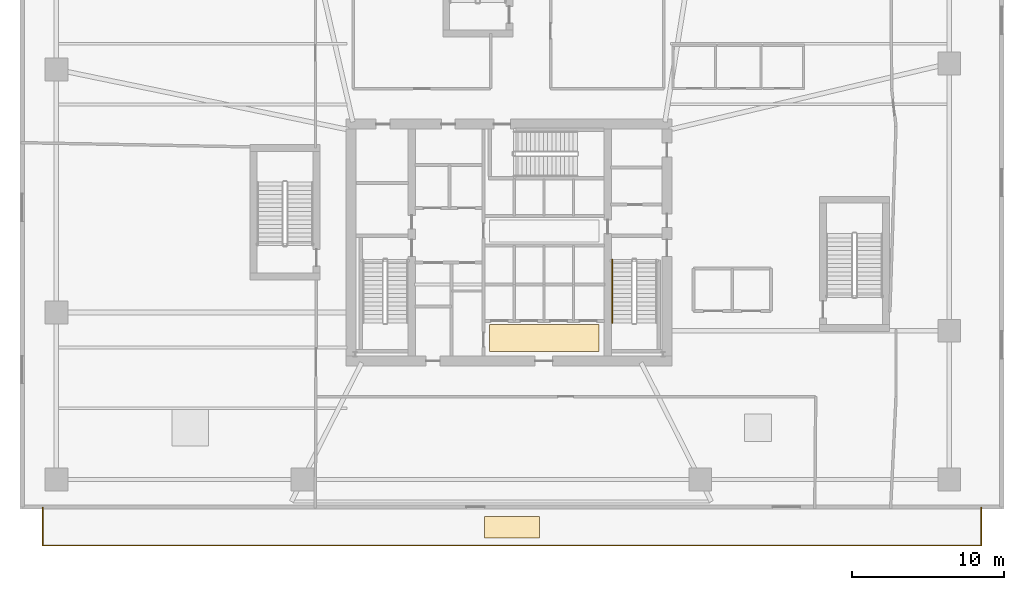
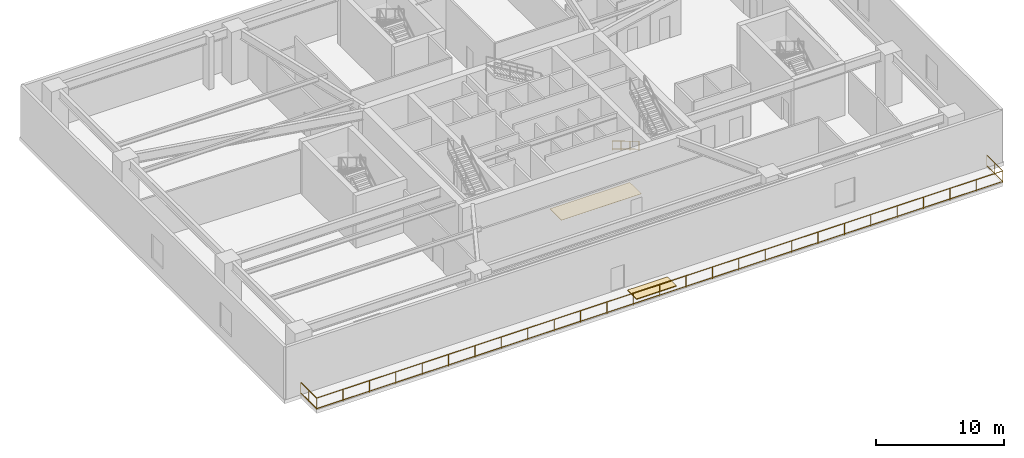
# One storey, part 9 of 11: 2 coverings, 2 railings.
"""IFC4 building model written with IfcOpenShell, lengths in metres."""

from ifc_helpers import new_model, si_unit, direction, frame, origin, origin_2d, place, context, subcontext, project, spatial, rectangle, extrude, material, layer, layer_set, type_object, element, save


model = new_model("IFC4")

# Units and contexts
model_context = context("Model", 3, precision=1e-05, world=origin(), true_north=direction((0.0, 1.0)))
body_context = subcontext(model_context, "Body", "Model", "MODEL_VIEW")
ifc_project = project(units=[si_unit("LENGTHUNIT", "METRE"), si_unit("AREAUNIT", "SQUARE_METRE"), si_unit("VOLUMEUNIT", "CUBIC_METRE"), si_unit("PLANEANGLEUNIT", "RADIAN"), si_unit("MASSUNIT", "GRAM", prefix="KILO")], contexts=[model_context])

# Site, building, storey
site_placement = place(None, origin())
site = spatial("IfcSite", under=ifc_project, at=site_placement, CompositionType="ELEMENT")
building_placement = place(site_placement, origin())
building = spatial("IfcBuilding", under=site, at=building_placement, Name="Qarnah Convention Tower", CompositionType="ELEMENT")
storey_placement = place(building_placement, frame((0.0, 0.0, 16.199951171875)))
storey = spatial("IfcBuildingStorey", under=building, at=storey_placement, Name="L03", CompositionType="ELEMENT", Elevation=16.199951171875)

# Coverings
ifc_material_1 = material(Name="Porcelain stone floor tile", Category="masonry")
ifc_layer_1 = layer(ifc_material_1, 0.02001953125)
ifc_layer_set_1 = layer_set([ifc_layer_1], Name="Porcelain stone floor tile")
covering_type_1 = type_object("IfcCoveringType", Name="COV-FLOOR-20", PredefinedType="FLOORING", material=ifc_layer_set_1)
covering_1_placement = place(storey_placement, frame((39.52001953125, 20.1201171875, 0.0), z_axis=(0.0, 0.0, 1.0), x_axis=(1.0, 0.0, 0.0)))
element("IfcCovering", 1, at=covering_1_placement, inside=storey, type_object=covering_type_1, Name="L03 lift lobby porcelain stone flooring", PredefinedType="FLOORING", context=body_context, shape_type="SweptSolid", body=[
    extrude(rectangle(XDim=7.199951171875, YDim=1.800048828125, at=origin_2d()), origin(), (0.0, 0.0, 1.0), 0.02001953125),
])
ifc_material_2 = material(Name="Bituminous roof membrane", Category="concrete")
ifc_layer_2 = layer(ifc_material_2, 0.080078125)
ifc_layer_set_2 = layer_set([ifc_layer_2], Name="Bituminous roof membrane")
covering_type_2 = type_object("IfcCoveringType", Name="COV-ROOF-80", PredefinedType="ROOFING", material=ifc_layer_set_2)
covering_2_placement = place(storey_placement, frame((37.39990234375, 7.652099609375, 0.0), z_axis=(0.0, 0.0, 1.0), x_axis=(1.0, 0.0, 0.0)))
element("IfcCovering", 2, at=covering_2_placement, inside=storey, type_object=covering_type_2, Name="L03 podium terrace roof membrane panel 1", PredefinedType="ROOFING", context=body_context, shape_type="SweptSolid", body=[
    extrude(rectangle(XDim=3.60009765625, YDim=1.39990234375, at=origin_2d()), origin(), (0.0, 0.0, 1.0), 0.080078125),
])

# Railings
ifc_material_3 = material(Name="Black anodised aluminium", Category="aluminium")
railing_type_1 = type_object("IfcRailingType", Name="RL-EXT-GUARD-1150", PredefinedType="GUARDRAIL", material=ifc_material_3)
railing_1_placement = place(storey_placement, frame((6.5, 8.949951171875, 0.0)))
element("IfcRailing", 3, at=railing_1_placement, inside=storey, type_object=railing_type_1, Name="L03 balcony safety guard TERR-L03-S", PredefinedType="GUARDRAIL", context=body_context, shape_type="SweptSolid", body=[
    extrude(rectangle(XDim=0.048095703125, YDim=0.048095703125, at=origin_2d()), frame((0.0, 0.0, 1.1259765625), z_axis=(0.0, -1.0, 0.0), x_axis=(1.0, 0.0, 0.0)), (0.0, 0.0, 1.0), 2.5),
    extrude(rectangle(XDim=0.048095703125, YDim=0.048095703125, at=origin_2d()), frame((0.0, 0.0, 0.1201171875), z_axis=(0.0, -1.0, 0.0), x_axis=(1.0, 0.0, 0.0)), (0.0, 0.0, 1.0), 2.5),
    extrude(rectangle(XDim=0.048095703125, YDim=0.048095703125, at=origin_2d()), frame((0.0, -2.5, 1.1259765625), z_axis=(1.0, 0.0, 0.0), x_axis=(0.0, 1.0, 0.0)), (0.0, 0.0, 1.0), 61.800048828125),
    extrude(rectangle(XDim=0.048095703125, YDim=0.048095703125, at=origin_2d()), frame((0.0, -2.5, 0.1201171875), z_axis=(1.0, 0.0, 0.0), x_axis=(0.0, 1.0, 0.0)), (0.0, 0.0, 1.0), 61.800048828125),
    extrude(rectangle(XDim=0.048095703125, YDim=0.048095703125, at=origin_2d()), frame((61.800048828125, -2.5, 1.1259765625), z_axis=(0.0, 1.0, 0.0), x_axis=(-1.0, 0.0, 0.0)), (0.0, 0.0, 1.0), 2.5),
    extrude(rectangle(XDim=0.048095703125, YDim=0.048095703125, at=origin_2d()), frame((61.800048828125, -2.5, 0.1201171875), z_axis=(0.0, 1.0, 0.0), x_axis=(-1.0, 0.0, 0.0)), (0.0, 0.0, 1.0), 2.5),
    extrude(rectangle(XDim=0.0419921875, YDim=0.0419921875, at=origin_2d()), origin(), (0.0, 0.0, 1.0), 1.101806640625),
    extrude(rectangle(XDim=0.0419921875, YDim=0.0419921875, at=origin_2d()), frame((0.0, -1.25, 0.0)), (0.0, 0.0, 1.0), 1.101806640625),
    extrude(rectangle(XDim=0.0419921875, YDim=0.0419921875, at=origin_2d()), frame((0.0, -2.5, 0.0)), (0.0, 0.0, 1.0), 1.101806640625),
    extrude(rectangle(XDim=0.0419921875, YDim=0.0419921875, at=origin_2d()), frame((2.376953125, -2.5, 0.0)), (0.0, 0.0, 1.0), 1.101806640625),
    extrude(rectangle(XDim=0.0419921875, YDim=0.0419921875, at=origin_2d()), frame((4.75390625, -2.5, 0.0)), (0.0, 0.0, 1.0), 1.101806640625),
    extrude(rectangle(XDim=0.0419921875, YDim=0.0419921875, at=origin_2d()), frame((7.130859375, -2.5, 0.0)), (0.0, 0.0, 1.0), 1.101806640625),
    extrude(rectangle(XDim=0.0419921875, YDim=0.0419921875, at=origin_2d()), frame((9.5078125, -2.5, 0.0)), (0.0, 0.0, 1.0), 1.101806640625),
    extrude(rectangle(XDim=0.0419921875, YDim=0.0419921875, at=origin_2d()), frame((11.884521484375, -2.5, 0.0)), (0.0, 0.0, 1.0), 1.101806640625),
    extrude(rectangle(XDim=0.0419921875, YDim=0.0419921875, at=origin_2d()), frame((14.261474609375, -2.5, 0.0)), (0.0, 0.0, 1.0), 1.101806640625),
    extrude(rectangle(XDim=0.0419921875, YDim=0.0419921875, at=origin_2d()), frame((16.638427734375, -2.5, 0.0)), (0.0, 0.0, 1.0), 1.101806640625),
    extrude(rectangle(XDim=0.0419921875, YDim=0.0419921875, at=origin_2d()), frame((19.015380859375, -2.5, 0.0)), (0.0, 0.0, 1.0), 1.101806640625),
    extrude(rectangle(XDim=0.0419921875, YDim=0.0419921875, at=origin_2d()), frame((21.392333984375, -2.5, 0.0)), (0.0, 0.0, 1.0), 1.101806640625),
    extrude(rectangle(XDim=0.0419921875, YDim=0.0419921875, at=origin_2d()), frame((23.769287109375, -2.5, 0.0)), (0.0, 0.0, 1.0), 1.101806640625),
    extrude(rectangle(XDim=0.0419921875, YDim=0.0419921875, at=origin_2d()), frame((26.146240234375, -2.5, 0.0)), (0.0, 0.0, 1.0), 1.101806640625),
    extrude(rectangle(XDim=0.0419921875, YDim=0.0419921875, at=origin_2d()), frame((28.523193359375, -2.5, 0.0)), (0.0, 0.0, 1.0), 1.101806640625),
    extrude(rectangle(XDim=0.0419921875, YDim=0.0419921875, at=origin_2d()), frame((30.89990234375, -2.5, 0.0)), (0.0, 0.0, 1.0), 1.101806640625),
    extrude(rectangle(XDim=0.0419921875, YDim=0.0419921875, at=origin_2d()), frame((33.27685546875, -2.5, 0.0)), (0.0, 0.0, 1.0), 1.101806640625),
    extrude(rectangle(XDim=0.0419921875, YDim=0.0419921875, at=origin_2d()), frame((35.65380859375, -2.5, 0.0)), (0.0, 0.0, 1.0), 1.101806640625),
    extrude(rectangle(XDim=0.0419921875, YDim=0.0419921875, at=origin_2d()), frame((38.03076171875, -2.5, 0.0)), (0.0, 0.0, 1.0), 1.101806640625),
    extrude(rectangle(XDim=0.0419921875, YDim=0.0419921875, at=origin_2d()), frame((40.40771484375, -2.5, 0.0)), (0.0, 0.0, 1.0), 1.101806640625),
    extrude(rectangle(XDim=0.0419921875, YDim=0.0419921875, at=origin_2d()), frame((42.78466796875, -2.5, 0.0)), (0.0, 0.0, 1.0), 1.101806640625),
    extrude(rectangle(XDim=0.0419921875, YDim=0.0419921875, at=origin_2d()), frame((45.16162109375, -2.5, 0.0)), (0.0, 0.0, 1.0), 1.101806640625),
    extrude(rectangle(XDim=0.0419921875, YDim=0.0419921875, at=origin_2d()), frame((47.53857421875, -2.5, 0.0)), (0.0, 0.0, 1.0), 1.101806640625),
    extrude(rectangle(XDim=0.0419921875, YDim=0.0419921875, at=origin_2d()), frame((49.91552734375, -2.5, 0.0)), (0.0, 0.0, 1.0), 1.101806640625),
    extrude(rectangle(XDim=0.0419921875, YDim=0.0419921875, at=origin_2d()), frame((52.292236328125, -2.5, 0.0)), (0.0, 0.0, 1.0), 1.101806640625),
    extrude(rectangle(XDim=0.0419921875, YDim=0.0419921875, at=origin_2d()), frame((54.669189453125, -2.5, 0.0)), (0.0, 0.0, 1.0), 1.101806640625),
    extrude(rectangle(XDim=0.0419921875, YDim=0.0419921875, at=origin_2d()), frame((57.046142578125, -2.5, 0.0)), (0.0, 0.0, 1.0), 1.101806640625),
    extrude(rectangle(XDim=0.0419921875, YDim=0.0419921875, at=origin_2d()), frame((59.423095703125, -2.5, 0.0)), (0.0, 0.0, 1.0), 1.101806640625),
    extrude(rectangle(XDim=0.0419921875, YDim=0.0419921875, at=origin_2d()), frame((61.800048828125, -2.5, 0.0)), (0.0, 0.0, 1.0), 1.101806640625),
    extrude(rectangle(XDim=0.0419921875, YDim=0.0419921875, at=origin_2d()), frame((61.800048828125, -1.25, 0.0)), (0.0, 0.0, 1.0), 1.101806640625),
    extrude(rectangle(XDim=0.0419921875, YDim=0.0419921875, at=origin_2d()), frame((61.800048828125, 0.0, 0.0)), (0.0, 0.0, 1.0), 1.101806640625),
])
ifc_material_4 = material(Name="Structural steel S355JR", Category="steel")
railing_type_2 = type_object("IfcRailingType", Name="RL-STAIR-HAND-900", PredefinedType="HANDRAIL", material=ifc_material_4)
railing_2_placement = place(storey_placement, frame((44.0, 25.300048828125, 0.168701171875)))
element("IfcRailing", 4, at=railing_2_placement, inside=storey, type_object=railing_type_2, Name="L03 ST-2 stair handrail 1", PredefinedType="HANDRAIL", context=body_context, shape_type="SweptSolid", body=[
    extrude(rectangle(XDim=0.048095703125, YDim=0.048095703125, at=origin_2d()), frame((0.0, 0.0, 0.8759765625), z_axis=(0.0, -0.856476492594, 0.516186030065), x_axis=(1.0, 0.0, 0.0)), (0.0, 0.0, 1.0), 4.90380859375),
    extrude(rectangle(XDim=0.048095703125, YDim=0.048095703125, at=origin_2d()), frame((0.0, 0.0, 0.1201171875), z_axis=(0.0, -0.856476492594, 0.516186030065), x_axis=(1.0, 0.0, 0.0)), (0.0, 0.0, 1.0), 4.90380859375),
    extrude(rectangle(XDim=0.0419921875, YDim=0.0419921875, at=origin_2d()), origin(), (0.0, 0.0, 1.0), 0.851806640625),
    extrude(rectangle(XDim=0.0419921875, YDim=0.0419921875, at=origin_2d()), frame((0.0, -1.39990234375, 0.84375)), (0.0, 0.0, 1.0), 0.851806640625),
    extrude(rectangle(XDim=0.0419921875, YDim=0.0419921875, at=origin_2d()), frame((0.0, -2.800048828125, 1.6875)), (0.0, 0.0, 1.0), 0.851806640625),
    extrude(rectangle(XDim=0.0419921875, YDim=0.0419921875, at=origin_2d()), frame((0.0, -4.199951171875, 2.53125)), (0.0, 0.0, 1.0), 0.851806640625),
])

save(model, "model.ifc")
